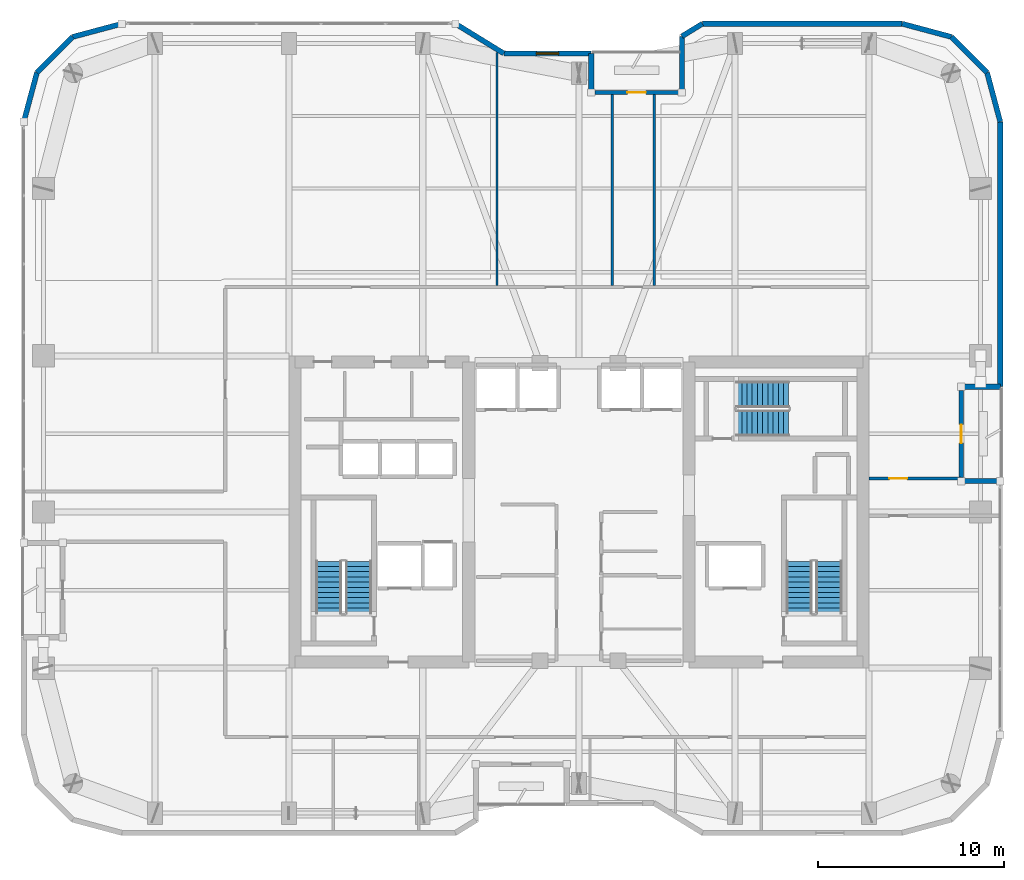
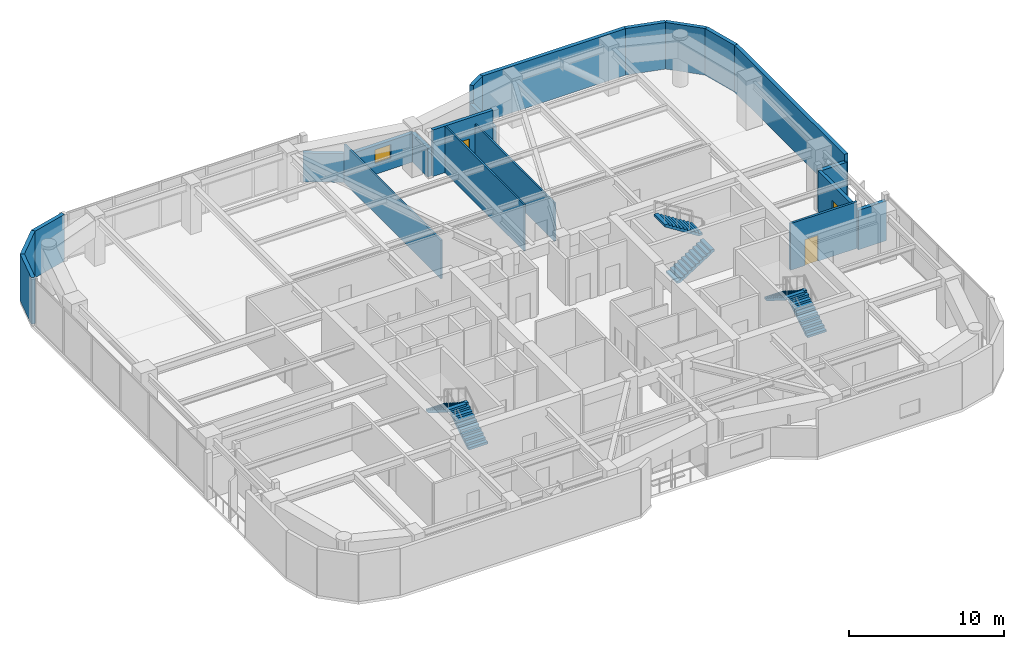
# One storey, part 27 of 30: 21 walls, 6 stair flights, 3 doors, 1 window, 4 openings, 3 elements without a shape of their own.
"""IFC4 building model written with IfcOpenShell, lengths in metres."""

from ifc_helpers import new_model, si_unit, direction, frame, frame_2d, origin, place, context, subcontext, project, spatial, polyline, rectangle, outline, extrude, material, layer, layer_set, type_object, element, fill, aggregate, save


model = new_model("IFC4")

# Units and contexts
model_context = context("Model", 3, precision=1e-05, world=origin(), true_north=direction((0.0, 1.0)))
body_context = subcontext(model_context, "Body", "Model", "MODEL_VIEW")
ifc_project = project(units=[si_unit("LENGTHUNIT", "METRE"), si_unit("AREAUNIT", "SQUARE_METRE"), si_unit("VOLUMEUNIT", "CUBIC_METRE"), si_unit("PLANEANGLEUNIT", "RADIAN"), si_unit("MASSUNIT", "GRAM", prefix="KILO")], contexts=[model_context])

# Site, building, storey
site_placement = place(None, origin())
site = spatial("IfcSite", under=ifc_project, at=site_placement, CompositionType="ELEMENT")
building_placement = place(site_placement, origin())
building = spatial("IfcBuilding", under=site, at=building_placement, Name="Kiyonajd Concourse Tower", CompositionType="ELEMENT")
storey_placement = place(building_placement, frame((0.0, 0.0, 201.89990234375)))
storey = spatial("IfcBuildingStorey", under=building, at=storey_placement, Name="L51", CompositionType="ELEMENT", Elevation=201.89990234375)

# Walls
ifc_material_1 = material(Name="Precast concrete C50/60", Category="concrete")
ifc_layer_1 = layer(ifc_material_1, 0.280029296875)
ifc_layer_set_1 = layer_set([ifc_layer_1], Name="Precast concrete C50/60")
wall_type_1 = type_object("IfcWallType", Name="WL-EXT-280", PredefinedType="SOLIDWALL", material=ifc_layer_set_1)
wall_1_placement = place(storey_placement, frame((18.139892578125, 56.981689453125, 0.0), z_axis=(0.0, 0.0, 1.0), x_axis=(0.258672222976, 0.9659651552, 0.0)))
element("IfcWall", 1, at=wall_1_placement, inside=storey, type_object=wall_type_1, Name="L51 Exterior Concrete Frame Wall 06", PredefinedType="SOLIDWALL", context=body_context, shape_type="SweptSolid", body=[
    extrude(rectangle(XDim=2.739013671875, YDim=0.280029296875, at=frame_2d((1.36962890625, 0.0))), origin(), (0.0, 0.0, 1.0), 3.68017578125),
])
wall_2_placement = place(storey_placement, frame((18.848388671875, 59.62744140625, 0.0), z_axis=(0.0, 0.0, 1.0), x_axis=(0.707106781187, 0.707106781187, 0.0)))
element("IfcWall", 2, at=wall_2_placement, inside=storey, type_object=wall_type_1, Name="L51 Exterior Concrete Frame Wall 07", PredefinedType="SOLIDWALL", context=body_context, shape_type="SweptSolid", body=[
    extrude(rectangle(XDim=2.720947265625, YDim=0.280029296875, at=frame_2d((1.3603515625, 0.0))), origin(), (0.0, 0.0, 1.0), 3.68017578125),
])
wall_3_placement = place(storey_placement, frame((20.7724609375, 61.551513671875, 0.0), z_axis=(0.0, 0.0, 1.0), x_axis=(0.965971118627, 0.258649952598, 0.0)))
element("IfcWall", 3, at=wall_3_placement, inside=storey, type_object=wall_type_1, Name="L51 Exterior Concrete Frame Wall 08", PredefinedType="SOLIDWALL", context=body_context, shape_type="SweptSolid", body=[
    extrude(rectangle(XDim=2.7392578125, YDim=0.280029296875, at=frame_2d((1.36962890625, 0.0))), origin(), (0.0, 0.0, 1.0), 3.68017578125),
])
wall_4_placement = place(storey_placement, frame((41.3603515625, 62.260009765625, 0.0), z_axis=(0.0, 0.0, 1.0), x_axis=(0.851652825334, -0.524106349037, 0.0)))
element("IfcWall", 4, at=wall_4_placement, inside=storey, type_object=wall_type_1, Name="L51 Exterior Concrete Frame Wall 10", PredefinedType="SOLIDWALL", context=body_context, shape_type="SweptSolid", body=[
    extrude(rectangle(XDim=3.052978515625, YDim=0.280029296875, at=frame_2d((1.5263671875, 0.0))), origin(), (0.0, 0.0, 1.0), 2.26513671875),
])

# Wall, opening, window
wall_5_placement = place(storey_placement, frame((43.96044921875, 60.659912109375, 0.0), z_axis=(0.0, 0.0, 1.0), x_axis=(1.0, 0.0, 0.0)))
wall_5 = element("IfcWall", 5, at=wall_5_placement, inside=storey, type_object=wall_type_1, Name="L51 Exterior Concrete Frame Wall 11", PredefinedType="SOLIDWALL", context=body_context, shape_type="SweptSolid", body=[
    extrude(rectangle(XDim=4.699462890625, YDim=0.280029296875, at=frame_2d((2.349609375, 0.0))), origin(), (0.0, 0.0, 1.0), 2.26513671875),
])
opening_1_placement = place(wall_5_placement, frame((1.75, 0.0, 0.85009765625)))
opening_1 = element("IfcOpeningElement", 6, at=opening_1_placement, cuts=wall_5, Name="Opening WN3", PredefinedType="OPENING", context=body_context, shape_type="SweptSolid", body=[
    extrude(rectangle(XDim=1.199951171875, YDim=1.10009765625, at=frame_2d((0.60009765625, 0.550048828125))), frame((0.0, 0.14990234375, 0.0), z_axis=(0.0, -1.0, 0.0), x_axis=(1.0, 0.0, 0.0)), (0.0, 0.0, 1.0), 0.300048828125),
])
ifc_material_2 = material(Name="Double Low-E Insulated Glass", Category="glass")
window_type = type_object("IfcWindowType", Name="WN-VIS-1200x1100", PartitioningType="SINGLE_PANEL", PredefinedType="WINDOW", material=ifc_material_2)
window_placement = place(opening_1_placement, origin())
window = element("IfcWindow", 7, at=window_placement, inside=storey, type_object=window_type, Name="L51 Modular Facade Vision Window 11", OverallHeight=1.10009765625, OverallWidth=1.199951171875, PartitioningType="SINGLE_PANEL", PredefinedType="WINDOW", context=body_context, shape_type="SweptSolid", body=[
    extrude(rectangle(XDim=1.199951171875, YDim=1.10009765625, at=frame_2d((0.60009765625, 0.550048828125))), frame((0.0, 0.030029296875, 0.0), z_axis=(0.0, -1.0, 0.0), x_axis=(1.0, 0.0, 0.0)), (0.0, 0.0, 1.0), 0.06005859375),
])
fill(opening_1, window)

# Walls
wall_6_placement = place(storey_placement, frame((48.659912109375, 60.659912109375, 0.0), z_axis=(0.0, 0.0, 1.0), x_axis=(0.0, -1.0, 0.0)))
element("IfcWall", 8, at=wall_6_placement, inside=storey, type_object=wall_type_1, Name="L51 Exterior Concrete Frame Wall 12", PredefinedType="SOLIDWALL", context=body_context, shape_type="SweptSolid", body=[
    extrude(rectangle(XDim=2.099853515625, YDim=0.280029296875, at=frame_2d((1.0498046875, 0.0))), origin(), (0.0, 0.0, 1.0), 2.26513671875),
])
wall_7_placement = place(storey_placement, frame((53.5400390625, 58.56005859375, 0.0), z_axis=(0.0, 0.0, 1.0), x_axis=(0.0, 1.0, 0.0)))
element("IfcWall", 9, at=wall_7_placement, inside=storey, type_object=wall_type_1, Name="L51 Exterior Concrete Frame Wall 14", PredefinedType="SOLIDWALL", context=body_context, shape_type="SweptSolid", body=[
    extrude(rectangle(XDim=3.023681640625, YDim=0.280029296875, at=frame_2d((1.51171875, 0.0))), origin(), (0.0, 0.0, 1.0), 2.26513671875),
])
wall_8_placement = place(storey_placement, frame((53.5400390625, 61.583740234375, 0.0), z_axis=(0.0, 0.0, 1.0), x_axis=(0.851801140441, 0.523865266212, 0.0)))
element("IfcWall", 10, at=wall_8_placement, inside=storey, type_object=wall_type_1, Name="L51 Exterior Concrete Frame Wall 15", PredefinedType="SOLIDWALL", context=body_context, shape_type="SweptSolid", body=[
    extrude(rectangle(XDim=1.291015625, YDim=0.280029296875, at=frame_2d((0.6455078125, 0.0))), origin(), (0.0, 0.0, 1.0), 3.68017578125),
])
wall_9_placement = place(storey_placement, frame((54.6396484375, 62.260009765625, 0.0), z_axis=(0.0, 0.0, 1.0), x_axis=(1.0, 0.0, 0.0)))
element("IfcWall", 11, at=wall_9_placement, inside=storey, type_object=wall_type_1, Name="L51 Exterior Concrete Frame Wall 16", PredefinedType="SOLIDWALL", context=body_context, shape_type="SweptSolid", body=[
    extrude(rectangle(XDim=10.741943359375, YDim=0.280029296875, at=frame_2d((5.37109375, 0.0))), origin(), (0.0, 0.0, 1.0), 3.68017578125),
])
wall_10_placement = place(storey_placement, frame((65.381591796875, 62.260009765625, 0.0), z_axis=(0.0, 0.0, 1.0), x_axis=(0.965971118627, -0.258649952598, 0.0)))
element("IfcWall", 12, at=wall_10_placement, inside=storey, type_object=wall_type_1, Name="L51 Exterior Concrete Frame Wall 17", PredefinedType="SOLIDWALL", context=body_context, shape_type="SweptSolid", body=[
    extrude(rectangle(XDim=2.7392578125, YDim=0.280029296875, at=frame_2d((1.36962890625, 0.0))), origin(), (0.0, 0.0, 1.0), 3.68017578125),
])
wall_11_placement = place(storey_placement, frame((68.027587890625, 61.551513671875, 0.0), z_axis=(0.0, 0.0, 1.0), x_axis=(0.707061915429, -0.707151644098, 0.0)))
element("IfcWall", 13, at=wall_11_placement, inside=storey, type_object=wall_type_1, Name="L51 Exterior Concrete Frame Wall 18", PredefinedType="SOLIDWALL", context=body_context, shape_type="SweptSolid", body=[
    extrude(rectangle(XDim=2.720947265625, YDim=0.280029296875, at=frame_2d((1.3603515625, 0.0))), origin(), (0.0, 0.0, 1.0), 3.68017578125),
])
wall_12_placement = place(storey_placement, frame((69.951416015625, 59.62744140625, 0.0), z_axis=(0.0, 0.0, 1.0), x_axis=(0.258672222976, -0.9659651552, 0.0)))
element("IfcWall", 14, at=wall_12_placement, inside=storey, type_object=wall_type_1, Name="L51 Exterior Concrete Frame Wall 19", PredefinedType="SOLIDWALL", context=body_context, shape_type="SweptSolid", body=[
    extrude(rectangle(XDim=2.739013671875, YDim=0.280029296875, at=frame_2d((1.36962890625, 0.0))), origin(), (0.0, 0.0, 1.0), 3.68017578125),
])
wall_13_placement = place(storey_placement, frame((70.659912109375, 56.981689453125, 0.0), z_axis=(0.0, 0.0, 1.0), x_axis=(0.0, -1.0, 0.0)))
element("IfcWall", 15, at=wall_13_placement, inside=storey, type_object=wall_type_1, Name="L51 Exterior Concrete Frame Wall 20", PredefinedType="SOLIDWALL", context=body_context, shape_type="SweptSolid", body=[
    extrude(rectangle(XDim=14.24169921875, YDim=0.280029296875, at=frame_2d((7.120849609375, 0.0))), origin(), (0.0, 0.0, 1.0), 3.68017578125),
])
for number, where, z_axis, x_axis, name in (
    (16, (70.659912109375, 42.739990234375, 0.0), (0.0, 0.0, 1.0), (-1.0, 0.0, 0.0), "L51 Exterior Concrete Frame Wall 21"),
    (17, (68.56005859375, 37.659912109375, 0.0), (0.0, 0.0, 1.0), (1.0, 0.0, 0.0), "L51 Exterior Concrete Frame Wall 23"),
):
    element("IfcWall", number, at=place(storey_placement, frame(where, z_axis=z_axis, x_axis=x_axis)), inside=storey, type_object=wall_type_1, Name=name, PredefinedType="SOLIDWALL", context=body_context, shape_type="SweptSolid", body=[
        extrude(rectangle(XDim=2.099853515625, YDim=0.280029296875, at=frame_2d((1.0498046875, 0.0))), origin(), (0.0, 0.0, 1.0), 3.1162109375),
    ])

# Wall, opening, door
ifc_layer_2 = layer(ifc_material_1, 0.239990234375)
ifc_layer_set_2 = layer_set([ifc_layer_2], Name="Precast concrete C50/60")
wall_type_2 = type_object("IfcWallType", Name="WL-LOG-240", PredefinedType="SOLIDWALL", material=ifc_layer_set_2)
wall_14_placement = place(storey_placement, frame((48.85498046875, 58.56005859375, 0.0), z_axis=(0.0, 0.0, 1.0), x_axis=(1.0, 0.0, 0.0)))
wall_14 = element("IfcWall", 18, at=wall_14_placement, inside=storey, type_object=wall_type_2, Name="L51 Recessed Loggia Thermal Wall LOG-N", PredefinedType="SOLIDWALL", context=body_context, shape_type="SweptSolid", body=[
    extrude(rectangle(XDim=4.489990234375, YDim=0.239990234375, at=frame_2d((2.2451171875, 0.0))), origin(), (0.0, 0.0, 1.0), 3.68017578125),
])
opening_2_placement = place(wall_14_placement, frame((1.7451171875, 0.0, 0.0)))
opening_2 = element("IfcOpeningElement", 19, at=opening_2_placement, cuts=wall_14, Name="Opening DL1", PredefinedType="OPENING", context=body_context, shape_type="SweptSolid", body=[
    extrude(rectangle(XDim=1.0, YDim=2.02001953125, at=frame_2d((0.5, 1.010009765625))), frame((0.0, 0.1298828125, 0.0), z_axis=(0.0, -1.0, 0.0), x_axis=(1.0, 0.0, 0.0)), (0.0, 0.0, 1.0), 0.260009765625),
])
ifc_material_3 = material(Name="Thermally Broken Anodised Aluminium", Category="aluminium")
door_type_1 = type_object("IfcDoorType", Name="DR-LOG-1000", OperationType="NOTDEFINED", PredefinedType="DOOR", material=ifc_material_3)
door_1_placement = place(opening_2_placement, origin())
door_1 = element("IfcDoor", 20, at=door_1_placement, inside=storey, type_object=door_type_1, Name="L51 Engawa Loggia Access Door LOG-N", OperationType="SINGLE_SWING_RIGHT", OverallHeight=2.02001953125, OverallWidth=1.0, PredefinedType="DOOR", context=body_context, shape_type="SweptSolid", body=[
    extrude(rectangle(XDim=1.0, YDim=2.02001953125, at=frame_2d((0.5, 1.010009765625))), frame((0.0, 0.02490234375, 0.0), z_axis=(0.0, -1.0, 0.0), x_axis=(1.0, 0.0, 0.0)), (0.0, 0.0, 1.0), 0.050048828125),
])
fill(opening_2, door_1)

wall_15_placement = place(storey_placement, frame((68.56005859375, 42.544921875, 0.0), z_axis=(0.0, 0.0, 1.0), x_axis=(0.0, -1.0, 0.0)))
wall_15 = element("IfcWall", 21, at=wall_15_placement, inside=storey, type_object=wall_type_2, Name="L51 Recessed Loggia Thermal Wall LOG-E", PredefinedType="SOLIDWALL", context=body_context, shape_type="SweptSolid", body=[
    extrude(rectangle(XDim=4.68994140625, YDim=0.239990234375, at=frame_2d((2.344970703125, 0.0))), origin(), (0.0, 0.0, 1.0), 3.248046875),
])
opening_3_placement = place(wall_15_placement, frame((1.844970703125, 0.0, 0.0)))
opening_3 = element("IfcOpeningElement", 22, at=opening_3_placement, cuts=wall_15, Name="Opening DL1", PredefinedType="OPENING", context=body_context, shape_type="SweptSolid", body=[
    extrude(rectangle(XDim=1.0, YDim=2.02001953125, at=frame_2d((0.5, 1.010009765625))), frame((0.0, 0.1298828125, 0.0), z_axis=(0.0, -1.0, 0.0), x_axis=(1.0, 0.0, 0.0)), (0.0, 0.0, 1.0), 0.260009765625),
])
door_2_placement = place(opening_3_placement, origin())
door_2 = element("IfcDoor", 23, at=door_2_placement, inside=storey, type_object=door_type_1, Name="L51 Engawa Loggia Access Door LOG-E", OperationType="SINGLE_SWING_LEFT", OverallHeight=2.02001953125, OverallWidth=1.0, PredefinedType="DOOR", context=body_context, shape_type="SweptSolid", body=[
    extrude(rectangle(XDim=1.0, YDim=2.02001953125, at=frame_2d((0.5, 1.010009765625))), frame((0.0, 0.02490234375, 0.0), z_axis=(0.0, -1.0, 0.0), x_axis=(1.0, 0.0, 0.0)), (0.0, 0.0, 1.0), 0.050048828125),
])
fill(opening_3, door_2)

# Walls
ifc_material_4 = material(Name="Gypsum Board on Cold-Formed Steel Stud", Category="steel")
ifc_layer_3 = layer(ifc_material_4, 0.125)
ifc_layer_set_3 = layer_set([ifc_layer_3], Name="Gypsum Board on Cold-Formed Steel Stud")
wall_type_3 = type_object("IfcWallType", Name="WL-PART-125", PredefinedType="PARTITIONING", material=ifc_layer_set_3)
wall_16_placement = place(storey_placement, frame((43.590087890625, 48.18701171875, 0.0), z_axis=(0.0, 0.0, 1.0), x_axis=(0.0, 1.0, 0.0)))
element("IfcWall", 24, at=wall_16_placement, inside=storey, type_object=wall_type_3, Name="L51 Interior Partition Wall", PredefinedType="PARTITIONING", context=body_context, shape_type="SweptSolid", body=[
    extrude(rectangle(XDim=12.532958984375, YDim=0.125, at=frame_2d((6.2666015625, 0.0))), origin(), (0.0, 0.0, 1.0), 3.043212890625),
])
wall_17_placement = place(storey_placement, frame((49.800048828125, 48.18701171875, 0.0), z_axis=(0.0, 0.0, 1.0), x_axis=(0.0, 1.0, 0.0)))
element("IfcWall", 25, at=wall_17_placement, inside=storey, type_object=wall_type_3, Name="L51 Interior Partition Wall", PredefinedType="PARTITIONING", context=body_context, shape_type="SweptSolid", body=[
    extrude(rectangle(XDim=10.258056640625, YDim=0.125, at=frame_2d((5.12890625, 0.0))), origin(), (0.0, 0.0, 1.0), 3.68017578125),
])
wall_18_placement = place(storey_placement, frame((52.050048828125, 48.18701171875, 0.0), z_axis=(0.0, 0.0, 1.0), x_axis=(0.0, 1.0, 0.0)))
element("IfcWall", 26, at=wall_18_placement, inside=storey, type_object=wall_type_3, Name="L51 Interior Partition Wall", PredefinedType="PARTITIONING", context=body_context, shape_type="SweptSolid", body=[
    extrude(rectangle(XDim=10.258056640625, YDim=0.125, at=frame_2d((5.12890625, 0.0))), origin(), (0.0, 0.0, 1.0), 3.043212890625),
])

# Wall, opening, door
ifc_layer_4 = layer(ifc_material_4, 0.169921875)
ifc_layer_set_4 = layer_set([ifc_layer_4], Name="Gypsum Board on Cold-Formed Steel Stud")
wall_type_4 = type_object("IfcWallType", Name="WL-SMK-170", PredefinedType="PARTITIONING", material=ifc_layer_set_4)
wall_19_placement = place(storey_placement, frame((63.60009765625, 37.800048828125, 0.0), z_axis=(0.0, 0.0, 1.0), x_axis=(1.0, 0.0, 0.0)))
wall_19 = element("IfcWall", 27, at=wall_19_placement, inside=storey, type_object=wall_type_4, Name="L51 Interior Partition Wall", PredefinedType="PARTITIONING", context=body_context, shape_type="SweptSolid", body=[
    extrude(rectangle(XDim=4.9599609375, YDim=0.169921875, at=frame_2d((2.47998046875, 0.0))), origin(), (0.0, 0.0, 1.0), 3.68017578125),
])
opening_4_placement = place(wall_19_placement, frame((1.10009765625, 0.0, 0.0)))
opening_4 = element("IfcOpeningElement", 28, at=opening_4_placement, cuts=wall_19, Name="Opening DI1", PredefinedType="OPENING", context=body_context, shape_type="SweptSolid", body=[
    extrude(rectangle(XDim=0.949951171875, YDim=2.0400390625, at=frame_2d((0.47509765625, 1.02001953125))), frame((0.0, 0.094970703125, 0.0), z_axis=(0.0, -1.0, 0.0), x_axis=(1.0, 0.0, 0.0)), (0.0, 0.0, 1.0), 0.18994140625),
])
ifc_material_5 = material(Name="Natural Oak Acoustic Timber Veneer", Category="wood")
door_type_2 = type_object("IfcDoorType", Name="DR-INT-950", OperationType="NOTDEFINED", PredefinedType="DOOR", material=ifc_material_5)
door_3_placement = place(opening_4_placement, origin())
door_3 = element("IfcDoor", 29, at=door_3_placement, inside=storey, type_object=door_type_2, Name="L51 Interior Door", OperationType="SINGLE_SWING_LEFT", OverallHeight=2.0400390625, OverallWidth=0.949951171875, PredefinedType="DOOR", context=body_context, shape_type="SweptSolid", body=[
    extrude(rectangle(XDim=0.949951171875, YDim=2.0400390625, at=frame_2d((0.47509765625, 1.02001953125))), frame((0.0, 0.02490234375, 0.0), z_axis=(0.0, -1.0, 0.0), x_axis=(1.0, 0.0, 0.0)), (0.0, 0.0, 1.0), 0.050048828125),
])
fill(opening_4, door_3)

# Stair, stair flights
ifc_material_6 = material(Name="Concrete C40/50", Category="concrete")
stair_type = type_object("IfcStairType", Name="ST-DLG-22R", PredefinedType="HALF_TURN_STAIR", material=ifc_material_6)
stair_1_placement = place(storey_placement, origin())
stair_1 = element("IfcStair", 30, at=stair_1_placement, inside=storey, type_object=stair_type, Name="L51 Protected Exit Stair ST1", PredefinedType="HALF_TURN_STAIR")
stair_flight_type = type_object("IfcStairFlightType", Name="SF-STR-22R", PredefinedType="STRAIGHT", material=ifc_material_6)
stair_flight_1_placement = place(storey_placement, frame((36.14990234375, 30.550048828125, 0.0), z_axis=(0.0, 0.0, 1.0), x_axis=(0.0, 1.0, 0.0)))
stair_flight_1 = element("IfcStairFlight", 31, at=stair_flight_1_placement, type_object=stair_flight_type, Name="ST1 flight 1", NumberOfRisers=11, NumberOfTreads=10, PredefinedType="STRAIGHT", RiserHeight=0.177272727, TreadLength=0.28, context=body_context, shape_type="SweptSolid", body=[
    extrude(outline(polyline([(0.0, 0.0), (0.0, 0.17724609375), (0.280029296875, 0.17724609375), (0.280029296875, 0.3544921875), (0.56005859375, 0.3544921875), (0.56005859375, 0.53173828125), (0.840087890625, 0.53173828125), (0.840087890625, 0.708984375), (1.1201171875, 0.708984375), (1.1201171875, 0.886474609375), (1.39990234375, 0.886474609375), (1.39990234375, 1.063720703125), (1.679931640625, 1.063720703125), (1.679931640625, 1.240966796875), (1.9599609375, 1.240966796875), (1.9599609375, 1.418212890625), (2.239990234375, 1.418212890625), (2.239990234375, 1.595458984375), (2.52001953125, 1.595458984375), (2.52001953125, 1.772705078125), (2.800048828125, 1.772705078125), (2.800048828125, 1.949951171875), (2.800048828125, 1.59521484375), (0.2802734375, 0.0), (0.0, 0.0)])), frame((0.0, 0.699951171875, 0.0), z_axis=(0.0, -1.0, 0.0), x_axis=(1.0, 0.0, 0.0)), (0.0, 0.0, 1.0), 1.39990234375),
])
stair_flight_2_placement = place(storey_placement, frame((34.550048828125, 33.35009765625, 1.9501953125), z_axis=(0.0, 0.0, 1.0), x_axis=(0.0, -1.0, 0.0)))
stair_flight_2 = element("IfcStairFlight", 32, at=stair_flight_2_placement, type_object=stair_flight_type, Name="ST1 flight 2", NumberOfRisers=11, NumberOfTreads=10, PredefinedType="STRAIGHT", RiserHeight=0.177272727, TreadLength=0.28, context=body_context, shape_type="SweptSolid", body=[
    extrude(outline(polyline([(0.0, 0.0), (0.0, 0.17724609375), (0.280029296875, 0.17724609375), (0.280029296875, 0.3544921875), (0.56005859375, 0.3544921875), (0.56005859375, 0.53173828125), (0.840087890625, 0.53173828125), (0.840087890625, 0.708984375), (1.1201171875, 0.708984375), (1.1201171875, 0.886474609375), (1.39990234375, 0.886474609375), (1.39990234375, 1.063720703125), (1.679931640625, 1.063720703125), (1.679931640625, 1.240966796875), (1.9599609375, 1.240966796875), (1.9599609375, 1.418212890625), (2.239990234375, 1.418212890625), (2.239990234375, 1.595458984375), (2.52001953125, 1.595458984375), (2.52001953125, 1.772705078125), (2.800048828125, 1.772705078125), (2.800048828125, 1.949951171875), (2.800048828125, 1.59521484375), (0.2802734375, 0.0), (0.0, 0.0)])), frame((0.0, 0.699951171875, 0.0), z_axis=(0.0, -1.0, 0.0), x_axis=(1.0, 0.0, 0.0)), (0.0, 0.0, 1.0), 1.39990234375),
])
aggregate(stair_1, [stair_flight_1, stair_flight_2])

stair_2_placement = place(storey_placement, origin())
stair_2 = element("IfcStair", 33, at=stair_2_placement, inside=storey, type_object=stair_type, Name="L51 Protected Exit Stair ST2", PredefinedType="HALF_TURN_STAIR")
stair_flight_3_placement = place(storey_placement, frame((61.449951171875, 30.550048828125, 0.0), z_axis=(0.0, 0.0, 1.0), x_axis=(0.0, 1.0, 0.0)))
stair_flight_3 = element("IfcStairFlight", 34, at=stair_flight_3_placement, type_object=stair_flight_type, Name="ST2 flight 1", NumberOfRisers=11, NumberOfTreads=10, PredefinedType="STRAIGHT", RiserHeight=0.177272727, TreadLength=0.28, context=body_context, shape_type="SweptSolid", body=[
    extrude(outline(polyline([(0.0, 0.0), (0.0, 0.17724609375), (0.280029296875, 0.17724609375), (0.280029296875, 0.3544921875), (0.56005859375, 0.3544921875), (0.56005859375, 0.53173828125), (0.840087890625, 0.53173828125), (0.840087890625, 0.708984375), (1.1201171875, 0.708984375), (1.1201171875, 0.886474609375), (1.39990234375, 0.886474609375), (1.39990234375, 1.063720703125), (1.679931640625, 1.063720703125), (1.679931640625, 1.240966796875), (1.9599609375, 1.240966796875), (1.9599609375, 1.418212890625), (2.239990234375, 1.418212890625), (2.239990234375, 1.595458984375), (2.52001953125, 1.595458984375), (2.52001953125, 1.772705078125), (2.800048828125, 1.772705078125), (2.800048828125, 1.949951171875), (2.800048828125, 1.59521484375), (0.2802734375, 0.0), (0.0, 0.0)])), frame((0.0, 0.699951171875, 0.0), z_axis=(0.0, -1.0, 0.0), x_axis=(1.0, 0.0, 0.0)), (0.0, 0.0, 1.0), 1.39990234375),
])
stair_flight_4_placement = place(storey_placement, frame((59.85009765625, 33.35009765625, 1.9501953125), z_axis=(0.0, 0.0, 1.0), x_axis=(0.0, -1.0, 0.0)))
stair_flight_4 = element("IfcStairFlight", 35, at=stair_flight_4_placement, type_object=stair_flight_type, Name="ST2 flight 2", NumberOfRisers=11, NumberOfTreads=10, PredefinedType="STRAIGHT", RiserHeight=0.177272727, TreadLength=0.28, context=body_context, shape_type="SweptSolid", body=[
    extrude(outline(polyline([(0.0, 0.0), (0.0, 0.17724609375), (0.280029296875, 0.17724609375), (0.280029296875, 0.3544921875), (0.56005859375, 0.3544921875), (0.56005859375, 0.53173828125), (0.840087890625, 0.53173828125), (0.840087890625, 0.708984375), (1.1201171875, 0.708984375), (1.1201171875, 0.886474609375), (1.39990234375, 0.886474609375), (1.39990234375, 1.063720703125), (1.679931640625, 1.063720703125), (1.679931640625, 1.240966796875), (1.9599609375, 1.240966796875), (1.9599609375, 1.418212890625), (2.239990234375, 1.418212890625), (2.239990234375, 1.595458984375), (2.52001953125, 1.595458984375), (2.52001953125, 1.772705078125), (2.800048828125, 1.772705078125), (2.800048828125, 1.949951171875), (2.800048828125, 1.59521484375), (0.2802734375, 0.0), (0.0, 0.0)])), frame((0.0, 0.699951171875, 0.0), z_axis=(0.0, -1.0, 0.0), x_axis=(1.0, 0.0, 0.0)), (0.0, 0.0, 1.0), 1.39990234375),
])
aggregate(stair_2, [stair_flight_3, stair_flight_4])

stair_3_placement = place(storey_placement, origin())
stair_3 = element("IfcStair", 36, at=stair_3_placement, inside=storey, type_object=stair_type, Name="L51 Protected Exit Stair ST3", PredefinedType="HALF_TURN_STAIR")
stair_flight_5_placement = place(storey_placement, frame((56.47998046875, 40.780029296875, 0.0), z_axis=(0.0, 0.0, 1.0), x_axis=(1.0, 0.0, 0.0)))
stair_flight_5 = element("IfcStairFlight", 37, at=stair_flight_5_placement, type_object=stair_flight_type, Name="ST3 flight 1", NumberOfRisers=11, NumberOfTreads=10, PredefinedType="STRAIGHT", RiserHeight=0.177272727, TreadLength=0.28, context=body_context, shape_type="SweptSolid", body=[
    extrude(outline(polyline([(0.0, 0.0), (0.0, 0.17724609375), (0.280029296875, 0.17724609375), (0.280029296875, 0.3544921875), (0.56005859375, 0.3544921875), (0.56005859375, 0.53173828125), (0.840087890625, 0.53173828125), (0.840087890625, 0.708984375), (1.1201171875, 0.708984375), (1.1201171875, 0.886474609375), (1.39990234375, 0.886474609375), (1.39990234375, 1.063720703125), (1.679931640625, 1.063720703125), (1.679931640625, 1.240966796875), (1.9599609375, 1.240966796875), (1.9599609375, 1.418212890625), (2.239990234375, 1.418212890625), (2.239990234375, 1.595458984375), (2.52001953125, 1.595458984375), (2.52001953125, 1.772705078125), (2.800048828125, 1.772705078125), (2.800048828125, 1.949951171875), (2.800048828125, 1.59521484375), (0.2802734375, 0.0), (0.0, 0.0)])), frame((0.0, 0.699951171875, 0.0), z_axis=(0.0, -1.0, 0.0), x_axis=(1.0, 0.0, 0.0)), (0.0, 0.0, 1.0), 1.39990234375),
])
stair_flight_6_placement = place(storey_placement, frame((59.280029296875, 42.320068359375, 1.9501953125), z_axis=(0.0, 0.0, 1.0), x_axis=(-1.0, 0.0, 0.0)))
stair_flight_6 = element("IfcStairFlight", 38, at=stair_flight_6_placement, type_object=stair_flight_type, Name="ST3 flight 2", NumberOfRisers=11, NumberOfTreads=10, PredefinedType="STRAIGHT", RiserHeight=0.177272727, TreadLength=0.28, context=body_context, shape_type="SweptSolid", body=[
    extrude(outline(polyline([(0.0, 0.0), (0.0, 0.17724609375), (0.280029296875, 0.17724609375), (0.280029296875, 0.3544921875), (0.56005859375, 0.3544921875), (0.56005859375, 0.53173828125), (0.840087890625, 0.53173828125), (0.840087890625, 0.708984375), (1.1201171875, 0.708984375), (1.1201171875, 0.886474609375), (1.39990234375, 0.886474609375), (1.39990234375, 1.063720703125), (1.679931640625, 1.063720703125), (1.679931640625, 1.240966796875), (1.9599609375, 1.240966796875), (1.9599609375, 1.418212890625), (2.239990234375, 1.418212890625), (2.239990234375, 1.595458984375), (2.52001953125, 1.595458984375), (2.52001953125, 1.772705078125), (2.800048828125, 1.772705078125), (2.800048828125, 1.949951171875), (2.800048828125, 1.59521484375), (0.2802734375, 0.0), (0.0, 0.0)])), frame((0.0, 0.699951171875, 0.0), z_axis=(0.0, -1.0, 0.0), x_axis=(1.0, 0.0, 0.0)), (0.0, 0.0, 1.0), 1.39990234375),
])
aggregate(stair_3, [stair_flight_5, stair_flight_6])

save(model, "model.ifc")
